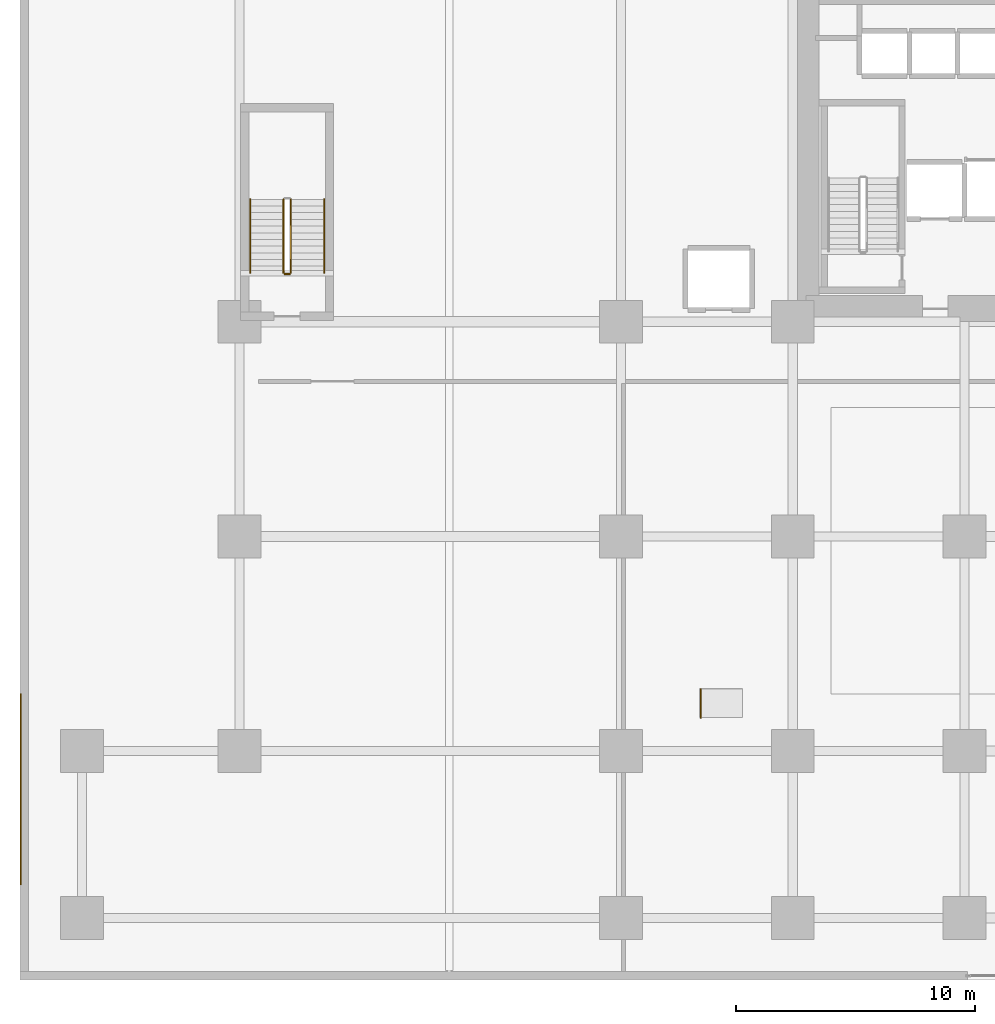
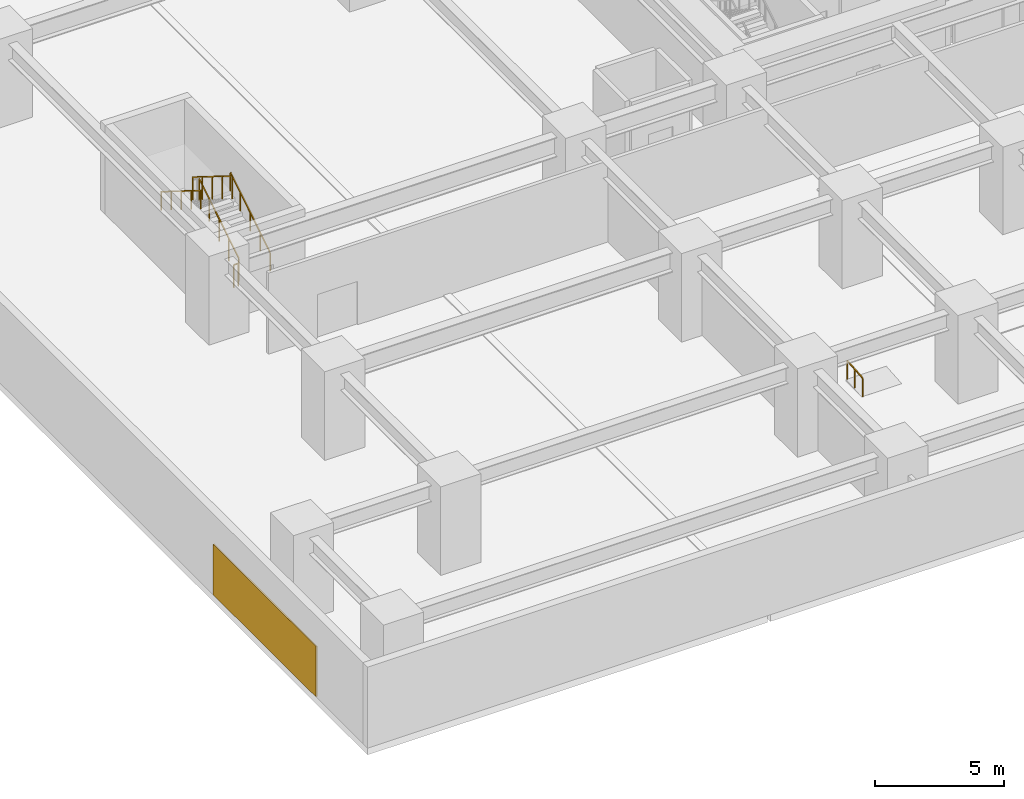
# One storey, part 15 of 22: 6 railings, 1 covering.
"""IFC4 building model written with IfcOpenShell, lengths in metres."""

from ifc_helpers import new_model, si_unit, direction, frame, origin, origin_2d, place, context, subcontext, project, spatial, polyline, rectangle, outline, extrude, material, layer, layer_set, type_object, element, save


model = new_model("IFC4")

# Units and contexts
model_context = context("Model", 3, precision=1e-05, world=origin(), true_north=direction((0.0, 1.0)))
body_context = subcontext(model_context, "Body", "Model", "MODEL_VIEW")
ifc_project = project(units=[si_unit("LENGTHUNIT", "METRE"), si_unit("AREAUNIT", "SQUARE_METRE"), si_unit("VOLUMEUNIT", "CUBIC_METRE"), si_unit("PLANEANGLEUNIT", "RADIAN"), si_unit("MASSUNIT", "GRAM", prefix="KILO")], contexts=[model_context])

# Site, building, storey
site_placement = place(None, origin())
site = spatial("IfcSite", under=ifc_project, at=site_placement, CompositionType="ELEMENT")
building_placement = place(site_placement, origin())
building = spatial("IfcBuilding", under=site, at=building_placement, Name="Kiyonajd Concourse Tower", CompositionType="ELEMENT")
storey_placement = place(building_placement, frame((0.0, 0.0, 12.89990234375)))
storey = spatial("IfcBuildingStorey", under=building, at=storey_placement, Name="L04", CompositionType="ELEMENT", Elevation=12.89990234375)

# Covering
ifc_material_1 = material(Name="Riyadh Jubaila Limestone", Category="masonry")
ifc_layer = layer(ifc_material_1, 0.06005859375)
ifc_layer_set = layer_set([ifc_layer], Name="Riyadh Jubaila Limestone")
covering_type = type_object("IfcCoveringType", Name="CV-CLD-STONE", PredefinedType="CLADDING", material=ifc_layer_set)
covering_placement = place(storey_placement, origin())
element("IfcCovering", 1, at=covering_placement, inside=storey, type_object=covering_type, Name="L04 Riyadh Jubaila Limestone Pier Cladding 1", PredefinedType="CLADDING", context=body_context, shape_type="SweptSolid", body=[
    extrude(outline(polyline([(0.0, 4.0), (0.06005859375, 4.0), (0.06005859375, 12.0), (0.0, 12.0), (0.0, 4.0)])), origin(), (0.0, 0.0, 1.0), 2.400146484375),
])

# Railings
ifc_material_2 = material(Name="Steel ASTM A500 Grade C", Category="steel")
railing_type_1 = type_object("IfcRailingType", Name="RL-GRD-STR", PredefinedType="GUARDRAIL", material=ifc_material_2)
railing_1_placement = place(storey_placement, frame((11.35009765625, 29.64990234375, 0.175048828125)))
element("IfcRailing", 2, at=railing_1_placement, inside=storey, type_object=railing_type_1, Name="L04 ST4 stair guard 1", PredefinedType="GUARDRAIL", context=body_context, shape_type="SweptSolid", body=[
    extrude(rectangle(XDim=0.048095703125, YDim=0.048095703125, at=origin_2d()), frame((0.0, 0.0, 1.076171875), z_axis=(0.0, 0.847998304005, 0.529998940003), x_axis=(-1.0, 0.0, 0.0)), (0.0, 0.0, 1.0), 3.632080078125),
    extrude(rectangle(XDim=0.0419921875, YDim=0.0419921875, at=origin_2d()), origin(), (0.0, 0.0, 1.0), 1.052001953125),
    extrude(rectangle(XDim=0.0419921875, YDim=0.0419921875, at=origin_2d()), frame((0.0, 0.77001953125, 0.481201171875)), (0.0, 0.0, 1.0), 1.052001953125),
    extrude(rectangle(XDim=0.0419921875, YDim=0.0419921875, at=origin_2d()), frame((0.0, 1.5400390625, 0.96240234375)), (0.0, 0.0, 1.0), 1.052001953125),
    extrude(rectangle(XDim=0.0419921875, YDim=0.0419921875, at=origin_2d()), frame((0.0, 2.31005859375, 1.44384765625)), (0.0, 0.0, 1.0), 1.052001953125),
    extrude(rectangle(XDim=0.0419921875, YDim=0.0419921875, at=origin_2d()), frame((0.0, 3.080078125, 1.925048828125)), (0.0, 0.0, 1.0), 1.052001953125),
])
railing_2_placement = place(storey_placement, frame((11.050048828125, 32.72998046875, 2.275146484375)))
element("IfcRailing", 3, at=railing_2_placement, inside=storey, type_object=railing_type_1, Name="L04 ST4 stair guard 3", PredefinedType="GUARDRAIL", context=body_context, shape_type="SweptSolid", body=[
    extrude(rectangle(XDim=0.048095703125, YDim=0.048095703125, at=origin_2d()), frame((0.0, 0.0, 1.076171875), z_axis=(0.0, -0.847998304005, 0.529998940003), x_axis=(1.0, 0.0, 0.0)), (0.0, 0.0, 1.0), 3.632080078125),
    extrude(rectangle(XDim=0.0419921875, YDim=0.0419921875, at=origin_2d()), origin(), (0.0, 0.0, 1.0), 1.052001953125),
    extrude(rectangle(XDim=0.0419921875, YDim=0.0419921875, at=origin_2d()), frame((0.0, -0.77001953125, 0.481201171875)), (0.0, 0.0, 1.0), 1.052001953125),
    extrude(rectangle(XDim=0.0419921875, YDim=0.0419921875, at=origin_2d()), frame((0.0, -1.5400390625, 0.96240234375)), (0.0, 0.0, 1.0), 1.052001953125),
    extrude(rectangle(XDim=0.0419921875, YDim=0.0419921875, at=origin_2d()), frame((0.0, -2.31005859375, 1.44384765625)), (0.0, 0.0, 1.0), 1.052001953125),
    extrude(rectangle(XDim=0.0419921875, YDim=0.0419921875, at=origin_2d()), frame((0.0, -3.080078125, 1.925048828125)), (0.0, 0.0, 1.0), 1.052001953125),
])
railing_3_placement = place(storey_placement, frame((11.300048828125, 29.60009765625, 0.0)))
element("IfcRailing", 4, at=railing_3_placement, inside=storey, type_object=railing_type_1, Name="L04 ST4 stair guard 4", PredefinedType="GUARDRAIL", context=body_context, shape_type="SweptSolid", body=[
    extrude(rectangle(XDim=0.048095703125, YDim=0.048095703125, at=origin_2d()), frame((0.0, 0.0, 1.076171875), z_axis=(-1.0, 0.0, 0.0), x_axis=(0.0, -1.0, 0.0)), (0.0, 0.0, 1.0), 0.199951171875),
    extrude(rectangle(XDim=0.0419921875, YDim=0.0419921875, at=origin_2d()), origin(), (0.0, 0.0, 1.0), 1.052001953125),
    extrude(rectangle(XDim=0.0419921875, YDim=0.0419921875, at=origin_2d()), frame((-0.199951171875, 0.0, 0.0)), (0.0, 0.0, 1.0), 1.052001953125),
])
ifc_material_3 = material(Name="Brushed Stainless Steel Cab Assembly", Category="steel")
railing_type_2 = type_object("IfcRailingType", Name="RL-HND-900", PredefinedType="HANDRAIL", material=ifc_material_3)
railing_4_placement = place(storey_placement, frame((12.75, 29.64990234375, 0.175048828125)))
element("IfcRailing", 5, at=railing_4_placement, inside=storey, type_object=railing_type_2, Name="L04 ST4 stair handrail 1", PredefinedType="HANDRAIL", context=body_context, shape_type="SweptSolid", body=[
    extrude(rectangle(XDim=0.048095703125, YDim=0.048095703125, at=origin_2d()), frame((0.0, 0.0, 0.8759765625), z_axis=(0.0, 0.847998304005, 0.529998940003), x_axis=(-1.0, 0.0, 0.0)), (0.0, 0.0, 1.0), 3.632080078125),
    extrude(rectangle(XDim=0.0419921875, YDim=0.0419921875, at=origin_2d()), origin(), (0.0, 0.0, 1.0), 0.851806640625),
    extrude(rectangle(XDim=0.0419921875, YDim=0.0419921875, at=origin_2d()), frame((0.0, 0.77001953125, 0.481201171875)), (0.0, 0.0, 1.0), 0.851806640625),
    extrude(rectangle(XDim=0.0419921875, YDim=0.0419921875, at=origin_2d()), frame((0.0, 1.5400390625, 0.96240234375)), (0.0, 0.0, 1.0), 0.851806640625),
    extrude(rectangle(XDim=0.0419921875, YDim=0.0419921875, at=origin_2d()), frame((0.0, 2.31005859375, 1.44384765625)), (0.0, 0.0, 1.0), 0.851806640625),
    extrude(rectangle(XDim=0.0419921875, YDim=0.0419921875, at=origin_2d()), frame((0.0, 3.080078125, 1.925048828125)), (0.0, 0.0, 1.0), 0.851806640625),
])
railing_5_placement = place(storey_placement, frame((9.64990234375, 32.72998046875, 2.275146484375)))
element("IfcRailing", 6, at=railing_5_placement, inside=storey, type_object=railing_type_2, Name="L04 ST4 stair handrail 2", PredefinedType="HANDRAIL", context=body_context, shape_type="SweptSolid", body=[
    extrude(rectangle(XDim=0.048095703125, YDim=0.048095703125, at=origin_2d()), frame((0.0, 0.0, 0.8759765625), z_axis=(0.0, -0.847998304005, 0.529998940003), x_axis=(1.0, 0.0, 0.0)), (0.0, 0.0, 1.0), 3.632080078125),
    extrude(rectangle(XDim=0.0419921875, YDim=0.0419921875, at=origin_2d()), origin(), (0.0, 0.0, 1.0), 0.851806640625),
    extrude(rectangle(XDim=0.0419921875, YDim=0.0419921875, at=origin_2d()), frame((0.0, -0.77001953125, 0.481201171875)), (0.0, 0.0, 1.0), 0.851806640625),
    extrude(rectangle(XDim=0.0419921875, YDim=0.0419921875, at=origin_2d()), frame((0.0, -1.5400390625, 0.96240234375)), (0.0, 0.0, 1.0), 0.851806640625),
    extrude(rectangle(XDim=0.0419921875, YDim=0.0419921875, at=origin_2d()), frame((0.0, -2.31005859375, 1.44384765625)), (0.0, 0.0, 1.0), 0.851806640625),
    extrude(rectangle(XDim=0.0419921875, YDim=0.0419921875, at=origin_2d()), frame((0.0, -3.080078125, 1.925048828125)), (0.0, 0.0, 1.0), 0.851806640625),
])
railing_6_placement = place(storey_placement, frame((28.550048828125, 11.0, 0.0)))
element("IfcRailing", 7, at=railing_6_placement, inside=storey, type_object=railing_type_2, Name="L04 Accessible Ramp Handrail", PredefinedType="HANDRAIL", context=body_context, shape_type="SweptSolid", body=[
    extrude(rectangle(XDim=0.048095703125, YDim=0.048095703125, at=origin_2d()), frame((0.0, 0.0, 0.8759765625), z_axis=(0.0, 0.996538763176, 0.083129378007), x_axis=(-1.0, 0.0, 0.0)), (0.0, 0.0, 1.0), 1.2041015625),
    extrude(rectangle(XDim=0.0419921875, YDim=0.0419921875, at=origin_2d()), origin(), (0.0, 0.0, 1.0), 0.851806640625),
    extrude(rectangle(XDim=0.0419921875, YDim=0.0419921875, at=origin_2d()), frame((0.0, 0.60009765625, 0.050048828125)), (0.0, 0.0, 1.0), 0.851806640625),
    extrude(rectangle(XDim=0.0419921875, YDim=0.0419921875, at=origin_2d()), frame((0.0, 1.199951171875, 0.10009765625)), (0.0, 0.0, 1.0), 0.851806640625),
])

save(model, "model.ifc")
